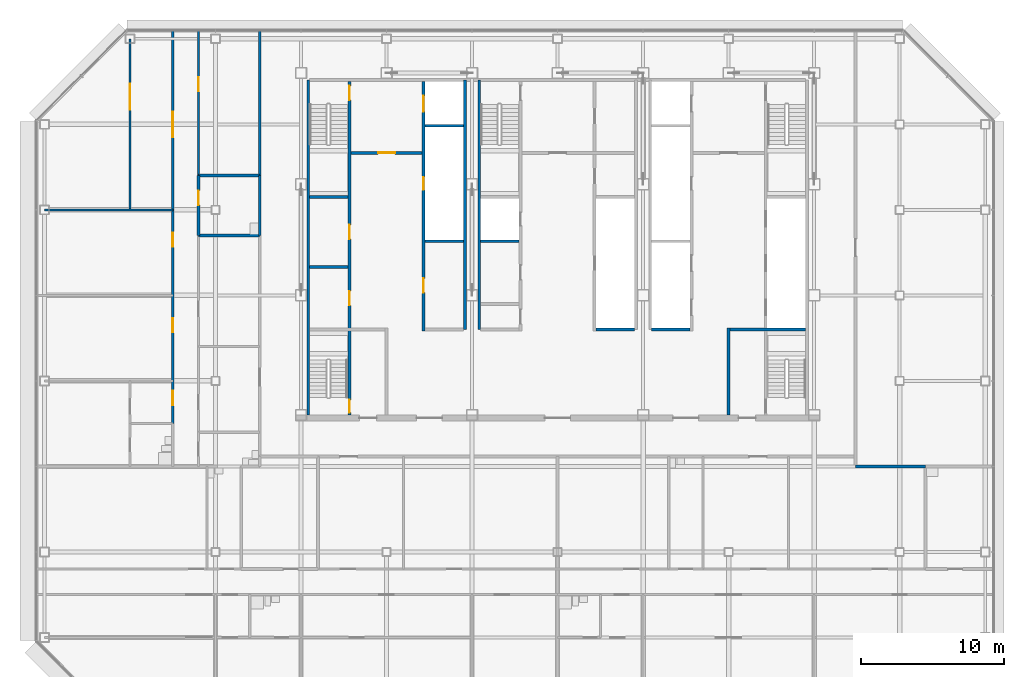
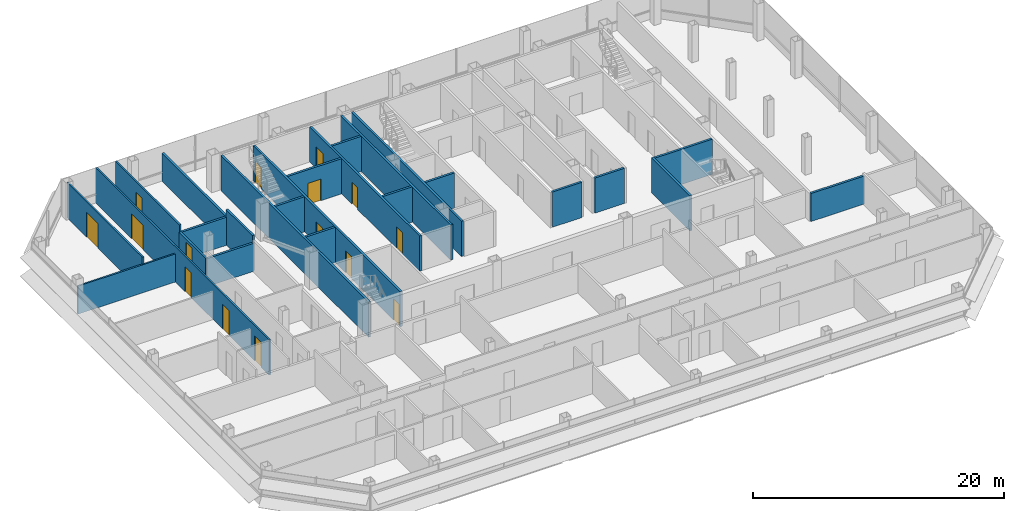
# One storey, part 22 of 26: 25 walls, 15 doors, 15 openings.
"""IFC4 building model written with IfcOpenShell, lengths in metres."""

from ifc_helpers import new_model, si_unit, direction, frame, frame_2d, origin, place, context, subcontext, project, spatial, rectangle, extrude, material, layer, layer_set, type_object, element, fill, save


model = new_model("IFC4")

# Units and contexts
model_context = context("Model", 3, precision=1e-05, world=origin(), true_north=direction((0.0, 1.0)))
body_context = subcontext(model_context, "Body", "Model", "MODEL_VIEW")
ifc_project = project(units=[si_unit("LENGTHUNIT", "METRE"), si_unit("AREAUNIT", "SQUARE_METRE"), si_unit("VOLUMEUNIT", "CUBIC_METRE"), si_unit("PLANEANGLEUNIT", "RADIAN"), si_unit("MASSUNIT", "GRAM", prefix="KILO")], contexts=[model_context])

# Site, building, storey
site_placement = place(None, origin())
site = spatial("IfcSite", under=ifc_project, at=site_placement, CompositionType="ELEMENT")
building_placement = place(site_placement, origin())
building = spatial("IfcBuilding", under=site, at=building_placement, Name="Sorahane Residences", CompositionType="ELEMENT")
storey_placement = place(building_placement, frame((0.0, 0.0, 219.0)))
storey = spatial("IfcBuildingStorey", under=building, at=storey_placement, Name="L51", CompositionType="ELEMENT", Elevation=219.0)

# Walls
ifc_material_1 = material(Name="Concrete C30", Category="concrete")
ifc_layer_1 = layer(ifc_material_1, 0.199951171875)
ifc_layer_set_1 = layer_set([ifc_layer_1], Name="Core face wall 200 EI 180")
wall_type_1 = type_object("IfcWallType", Name="Core face wall 200 EI 180", PredefinedType="SOLIDWALL", material=ifc_layer_set_1)
wall_1_placement = place(storey_placement, frame((6.5, 21.60009765625, 0.0), z_axis=(0.0, 0.0, 1.0), x_axis=(0.0, 1.0, 0.0)))
element("IfcWall", 1, at=wall_1_placement, inside=storey, type_object=wall_type_1, Name="L51 core face wall", PredefinedType="SOLIDWALL", context=body_context, shape_type="SweptSolid", body=[
    extrude(rectangle(XDim=23.5, YDim=0.199951171875, at=frame_2d((11.75, 0.0))), origin(), (0.0, 0.0, 1.0), 3.419921875),
])
for number, where, z_axis, x_axis, name in (
    (2, (17.5, 27.60009765625, 0.0), (0.0, 0.0, 1.0), (0.0, 1.0, 0.0), "L51 core face wall"),
    (3, (18.5, 27.60009765625, 0.0), (0.0, 0.0, 1.0), (0.0, 1.0, 0.0), "L51 core face wall"),
):
    element("IfcWall", number, at=place(storey_placement, frame(where, z_axis=z_axis, x_axis=x_axis)), inside=storey, type_object=wall_type_1, Name=name, PredefinedType="SOLIDWALL", context=body_context, shape_type="SweptSolid", body=[
        extrude(rectangle(XDim=17.5, YDim=0.199951171875, at=frame_2d((8.75, 0.0))), origin(), (0.0, 0.0, 1.0), 3.419921875),
    ])
ifc_material_2 = material(Name="Concrete blockwork C20 wall", Category="masonry")
ifc_layer_2 = layer(ifc_material_2, 0.199951171875)
ifc_layer_set_2 = layer_set([ifc_layer_2], Name="Corridor wall 200 EI 120")
wall_type_2 = type_object("IfcWallType", Name="Corridor wall 200 EI 120", PredefinedType="SOLIDWALL", material=ifc_layer_set_2)
wall_2_placement = place(storey_placement, frame((3.10009765625, 38.39990234375, 0.0), z_axis=(0.0, 0.0, 1.0), x_axis=(0.0, 1.0, 0.0)))
element("IfcWall", 4, at=wall_2_placement, inside=storey, type_object=wall_type_2, Name="L51 corridor wall", PredefinedType="SOLIDWALL", context=body_context, shape_type="SweptSolid", body=[
    extrude(rectangle(XDim=10.2001953125, YDim=0.199951171875, at=frame_2d((5.10009765625, 0.0))), origin(), (0.0, 0.0, 1.0), 2.719970703125),
])
wall_3_placement = place(storey_placement, frame((44.89990234375, 18.0, 0.0), z_axis=(0.0, 0.0, 1.0), x_axis=(1.0, 0.0, 0.0)))
element("IfcWall", 5, at=wall_3_placement, inside=storey, type_object=wall_type_2, Name="L51 corridor wall", PredefinedType="SOLIDWALL", context=body_context, shape_type="SweptSolid", body=[
    extrude(rectangle(XDim=4.900146484375, YDim=0.199951171875, at=frame_2d((2.4501953125, 0.0))), origin(), (0.0, 0.0, 1.0), 2.719970703125),
])
ifc_material_3 = material(Name="Concrete C30", Category="concrete")
ifc_layer_3 = layer(ifc_material_3, 0.199951171875)
ifc_layer_set_3 = layer_set([ifc_layer_3], Name="Front room wall 200 EI 120")
wall_type_3 = type_object("IfcWallType", Name="Front room wall 200 EI 120", PredefinedType="PARTITIONING", material=ifc_layer_set_3)
wall_4_placement = place(storey_placement, frame((36.0, 21.60009765625, 0.0), z_axis=(0.0, 0.0, 1.0), x_axis=(0.0, 1.0, 0.0)))
element("IfcWall", 6, at=wall_4_placement, inside=storey, type_object=wall_type_3, Name="L51 front room wall", PredefinedType="PARTITIONING", context=body_context, shape_type="SweptSolid", body=[
    extrude(rectangle(XDim=6.099853515625, YDim=0.199951171875, at=frame_2d((3.0498046875, 0.0))), origin(), (0.0, 0.0, 1.0), 3.419921875),
])

# Wall, opening, door
wall_5_placement = place(storey_placement, frame((9.5, 40.0, 0.0), z_axis=(0.0, 0.0, 1.0), x_axis=(1.0, 0.0, 0.0)))
wall_5 = element("IfcWall", 7, at=wall_5_placement, inside=storey, type_object=wall_type_3, Name="L51 front room wall", PredefinedType="PARTITIONING", context=body_context, shape_type="SweptSolid", body=[
    extrude(rectangle(XDim=5.0, YDim=0.199951171875, at=frame_2d((2.5, 0.0))), origin(), (0.0, 0.0, 1.0), 3.419921875),
])
opening_1_placement = place(wall_5_placement, frame((1.89990234375, 0.0, 0.0)))
opening_1 = element("IfcOpeningElement", 8, at=opening_1_placement, cuts=wall_5, Name="Opening L51-C06", PredefinedType="OPENING", context=body_context, shape_type="SweptSolid", body=[
    extrude(rectangle(XDim=1.199951171875, YDim=2.10009765625, at=frame_2d((0.60009765625, 1.050048828125))), frame((0.0, 0.10986328125, 0.0), z_axis=(0.0, -1.0, 0.0), x_axis=(1.0, 0.0, 0.0)), (0.0, 0.0, 1.0), 0.219970703125),
])
ifc_material_4 = material(Name="Steel", Category="steel")
door_type_1 = type_object("IfcDoorType", Name="Front room door 1200x2100 FD120", OperationType="NOTDEFINED", PredefinedType="DOOR", material=ifc_material_4)
door_1_placement = place(opening_1_placement, frame((1.199951171875, 0.0, 0.0), z_axis=(0.0, 0.0, 1.0), x_axis=(-1.0, 0.0, 0.0)))
door_1 = element("IfcDoor", 9, at=door_1_placement, inside=storey, type_object=door_type_1, Name="Front room door Firefighting lobby FF1 front room L51", OperationType="DOUBLE_DOOR_SINGLE_SWING", OverallHeight=2.10009765625, OverallWidth=1.199951171875, PredefinedType="DOOR", context=body_context, shape_type="SweptSolid", body=[
    extrude(rectangle(XDim=1.199951171875, YDim=2.10009765625, at=frame_2d((0.60009765625, 1.050048828125))), frame((0.0, 0.02490234375, 0.0), z_axis=(0.0, -1.0, 0.0), x_axis=(1.0, 0.0, 0.0)), (0.0, 0.0, 1.0), 0.050048828125),
])
fill(opening_1, door_1)

ifc_material_5 = material(Name="Concrete blockwork C20 wall", Category="masonry")
ifc_layer_4 = layer(ifc_material_5, 0.199951171875)
ifc_layer_set_4 = layer_set([ifc_layer_4], Name="Kitchen wall 200 EI 180")
wall_type_4 = type_object("IfcWallType", Name="Kitchen wall 200 EI 180", PredefinedType="SOLIDWALL", material=ifc_layer_set_4)
wall_6_placement = place(storey_placement, frame((-1.199951171875, 34.199951171875, 0.0), z_axis=(0.0, 0.0, 1.0), x_axis=(0.0, 1.0, 0.0)))
wall_6 = element("IfcWall", 10, at=wall_6_placement, inside=storey, type_object=wall_type_4, Name="L51 kitchen wall", PredefinedType="SOLIDWALL", context=body_context, shape_type="SweptSolid", body=[
    extrude(rectangle(XDim=4.199951171875, YDim=0.199951171875, at=frame_2d((2.10009765625, 0.0))), origin(), (0.0, 0.0, 1.0), 2.719970703125),
])
opening_2_placement = place(wall_6_placement, frame((2.139892578125, 0.0, 0.0)))
opening_2 = element("IfcOpeningElement", 11, at=opening_2_placement, cuts=wall_6, Name="Opening L51-29", PredefinedType="OPENING", context=body_context, shape_type="SweptSolid", body=[
    extrude(rectangle(XDim=1.0, YDim=2.39990234375, at=frame_2d((0.5, 1.199951171875))), frame((0.0, 0.10986328125, 0.0), z_axis=(0.0, -1.0, 0.0), x_axis=(1.0, 0.0, 0.0)), (0.0, 0.0, 1.0), 0.219970703125),
])
ifc_material_6 = material(Name="Steel", Category="steel")
door_type_2 = type_object("IfcDoorType", Name="Kitchen door 1000x2400 FD120", OperationType="NOTDEFINED", PredefinedType="DOOR", material=ifc_material_6)
door_2_placement = place(opening_2_placement, frame((1.0, 0.0, 0.0), z_axis=(0.0, 0.0, 1.0), x_axis=(-1.0, 0.0, 0.0)))
door_2 = element("IfcDoor", 12, at=door_2_placement, inside=storey, type_object=door_type_2, Name="Kitchen door L51-29", OperationType="SINGLE_SWING_LEFT", OverallHeight=2.39990234375, OverallWidth=1.0, PredefinedType="DOOR", context=body_context, shape_type="SweptSolid", body=[
    extrude(rectangle(XDim=1.0, YDim=2.39990234375, at=frame_2d((0.5, 1.199951171875))), frame((0.0, 0.02490234375, 0.0), z_axis=(0.0, -1.0, 0.0), x_axis=(1.0, 0.0, 0.0)), (0.0, 0.0, 1.0), 0.050048828125),
])
fill(opening_2, door_2)

# Walls
wall_7_placement = place(storey_placement, frame((3.10009765625, 34.199951171875, 0.0), z_axis=(0.0, 0.0, 1.0), x_axis=(0.0, 1.0, 0.0)))
element("IfcWall", 13, at=wall_7_placement, inside=storey, type_object=wall_type_4, Name="L51 kitchen wall", PredefinedType="SOLIDWALL", context=body_context, shape_type="SweptSolid", body=[
    extrude(rectangle(XDim=4.199951171875, YDim=0.199951171875, at=frame_2d((2.10009765625, 0.0))), origin(), (0.0, 0.0, 1.0), 3.419921875),
])
for number, where, z_axis, x_axis, name in (
    (14, (-1.199951171875, 34.199951171875, 0.0), (0.0, 0.0, 1.0), (1.0, 0.0, 0.0), "L51 kitchen wall"),
    (15, (-1.199951171875, 38.39990234375, 0.0), (0.0, 0.0, 1.0), (1.0, 0.0, 0.0), "L51 kitchen wall"),
):
    element("IfcWall", number, at=place(storey_placement, frame(where, z_axis=z_axis, x_axis=x_axis)), inside=storey, type_object=wall_type_4, Name=name, PredefinedType="SOLIDWALL", context=body_context, shape_type="SweptSolid", body=[
        extrude(rectangle(XDim=4.300048828125, YDim=0.199951171875, at=frame_2d((2.14990234375, 0.0))), origin(), (0.0, 0.0, 1.0), 2.719970703125),
    ])

# Wall, openings, doors
ifc_material_7 = material(Name="Concrete C30", Category="concrete")
ifc_layer_5 = layer(ifc_material_7, 0.199951171875)
ifc_layer_set_5 = layer_set([ifc_layer_5], Name="Lift shaft wall 200 EI 120")
wall_type_5 = type_object("IfcWallType", Name="Lift shaft wall 200 EI 120", PredefinedType="SOLIDWALL", material=ifc_layer_set_5)
wall_8_placement = place(storey_placement, frame((14.60009765625, 27.5, 0.0), z_axis=(0.0, 0.0, 1.0), x_axis=(0.0, 1.0, 0.0)))
wall_8 = element("IfcWall", 16, at=wall_8_placement, inside=storey, type_object=wall_type_5, Name="L51 lift shaft wall", PredefinedType="SOLIDWALL", context=body_context, shape_type="SweptSolid", body=[
    extrude(rectangle(XDim=17.5, YDim=0.199951171875, at=frame_2d((8.75, 0.0))), origin(), (0.0, 0.0, 1.0), 3.419921875),
])
opening_3_placement = place(wall_8_placement, frame((15.39990234375, 0.0, 0.0)))
opening_3 = element("IfcOpeningElement", 17, at=opening_3_placement, cuts=wall_8, Name="Opening L51-C15", PredefinedType="OPENING", context=body_context, shape_type="SweptSolid", body=[
    extrude(rectangle(XDim=1.10009765625, YDim=2.10009765625, at=frame_2d((0.550048828125, 1.050048828125))), frame((0.0, 0.10986328125, 0.0), z_axis=(0.0, -1.0, 0.0), x_axis=(1.0, 0.0, 0.0)), (0.0, 0.0, 1.0), 0.219970703125),
])
opening_4_placement = place(wall_8_placement, frame((2.699951171875, 0.0, 0.0)))
opening_4 = element("IfcOpeningElement", 18, at=opening_4_placement, cuts=wall_8, Name="Opening L51-C18", PredefinedType="OPENING", context=body_context, shape_type="SweptSolid", body=[
    extrude(rectangle(XDim=1.0, YDim=2.10009765625, at=frame_2d((0.5, 1.050048828125))), frame((0.0, 0.10986328125, 0.0), z_axis=(0.0, -1.0, 0.0), x_axis=(1.0, 0.0, 0.0)), (0.0, 0.0, 1.0), 0.219970703125),
])
opening_5_placement = place(wall_8_placement, frame((9.89990234375, 0.0, 0.0)))
opening_5 = element("IfcOpeningElement", 19, at=opening_5_placement, cuts=wall_8, Name="Opening L51-C26", PredefinedType="OPENING", context=body_context, shape_type="SweptSolid", body=[
    extrude(rectangle(XDim=0.89990234375, YDim=2.10009765625, at=frame_2d((0.449951171875, 1.050048828125))), frame((0.0, 0.10986328125, 0.0), z_axis=(0.0, -1.0, 0.0), x_axis=(1.0, 0.0, 0.0)), (0.0, 0.0, 1.0), 0.219970703125),
])
ifc_material_8 = material(Name="Aluminium and stainless steel", Category="steel")
door_type_3 = type_object("IfcDoorType", Name="Lift landing door 1100x2100 E 60", OperationType="NOTDEFINED", PredefinedType="DOOR", material=ifc_material_8)
door_3_placement = place(opening_3_placement, origin())
door_3 = element("IfcDoor", 20, at=door_3_placement, inside=storey, type_object=door_type_3, Name="Lift landing door FF1 L51", OperationType="DOUBLE_DOOR_SLIDING", OverallHeight=2.10009765625, OverallWidth=1.10009765625, PredefinedType="DOOR", context=body_context, shape_type="SweptSolid", body=[
    extrude(rectangle(XDim=1.10009765625, YDim=2.10009765625, at=frame_2d((0.550048828125, 1.050048828125))), frame((0.0, 0.02490234375, 0.0), z_axis=(0.0, -1.0, 0.0), x_axis=(1.0, 0.0, 0.0)), (0.0, 0.0, 1.0), 0.050048828125),
])
fill(opening_3, door_3)
ifc_material_9 = material(Name="Steel", Category="steel")
door_type_4 = type_object("IfcDoorType", Name="Riser door 900x2100 FD120", OperationType="NOTDEFINED", PredefinedType="DOOR", material=ifc_material_9)
door_4_placement = place(opening_5_placement, origin())
door_4 = element("IfcDoor", 21, at=door_4_placement, inside=storey, type_object=door_type_4, Name="Riser door R1 L51", OperationType="SINGLE_SWING_LEFT", OverallHeight=2.10009765625, OverallWidth=0.89990234375, PredefinedType="DOOR", context=body_context, shape_type="SweptSolid", body=[
    extrude(rectangle(XDim=0.89990234375, YDim=2.10009765625, at=frame_2d((0.449951171875, 1.050048828125))), frame((0.0, 0.02490234375, 0.0), z_axis=(0.0, -1.0, 0.0), x_axis=(1.0, 0.0, 0.0)), (0.0, 0.0, 1.0), 0.050048828125),
])
fill(opening_5, door_4)
ifc_material_10 = material(Name="Steel", Category="steel")
door_type_5 = type_object("IfcDoorType", Name="Service room door 1000x2100 FD60", OperationType="NOTDEFINED", PredefinedType="DOOR", material=ifc_material_10)
door_5_placement = place(opening_4_placement, frame((1.0, 0.0, 0.0), z_axis=(0.0, 0.0, 1.0), x_axis=(-1.0, 0.0, 0.0)))
door_5 = element("IfcDoor", 22, at=door_5_placement, inside=storey, type_object=door_type_5, Name="Service room door Reading room L51", OperationType="SINGLE_SWING_RIGHT", OverallHeight=2.10009765625, OverallWidth=1.0, PredefinedType="DOOR", context=body_context, shape_type="SweptSolid", body=[
    extrude(rectangle(XDim=1.0, YDim=2.10009765625, at=frame_2d((0.5, 1.050048828125))), frame((0.0, 0.02490234375, 0.0), z_axis=(0.0, -1.0, 0.0), x_axis=(1.0, 0.0, 0.0)), (0.0, 0.0, 1.0), 0.050048828125),
])
fill(opening_4, door_5)

# Walls
for number, where, z_axis, x_axis, name in (
    (23, (30.60009765625, 27.60009765625, 0.0), (0.0, 0.0, 1.0), (1.0, 0.0, 0.0), "L51 lift shaft wall"),
    (24, (14.699951171875, 41.89990234375, 0.0), (0.0, 0.0, 1.0), (1.0, 0.0, 0.0), "L51 lift shaft wall"),
):
    element("IfcWall", number, at=place(storey_placement, frame(where, z_axis=z_axis, x_axis=x_axis)), inside=storey, type_object=wall_type_5, Name=name, PredefinedType="SOLIDWALL", context=body_context, shape_type="SweptSolid", body=[
        extrude(rectangle(XDim=2.699951171875, YDim=0.199951171875, at=frame_2d((1.35009765625, 0.0))), origin(), (0.0, 0.0, 1.0), 3.419921875),
    ])

# Wall, opening, door
ifc_material_11 = material(Name="Gypsum board partition on steel studs", Category="steel")
ifc_layer_6 = layer(ifc_material_11, 0.14990234375)
ifc_layer_set_6 = layer_set([ifc_layer_6], Name="Partition 150 EI 90")
wall_type_6 = type_object("IfcWallType", Name="Partition 150 EI 90", PredefinedType="PARTITIONING", material=ifc_layer_set_6)
wall_9_placement = place(storey_placement, frame((-1.199951171875, 38.39990234375, 0.0), z_axis=(0.0, 0.0, 1.0), x_axis=(0.0, 1.0, 0.0)))
wall_9 = element("IfcWall", 25, at=wall_9_placement, inside=storey, type_object=wall_type_6, Name="L51 partition", PredefinedType="PARTITIONING", context=body_context, shape_type="SweptSolid", body=[
    extrude(rectangle(XDim=10.2001953125, YDim=0.14990234375, at=frame_2d((5.10009765625, 0.0))), origin(), (0.0, 0.0, 1.0), 3.419921875),
])
opening_6_placement = place(wall_9_placement, frame((5.919921875, 0.0, 0.0)))
opening_6 = element("IfcOpeningElement", 26, at=opening_6_placement, cuts=wall_9, Name="Opening L51-30", PredefinedType="OPENING", context=body_context, shape_type="SweptSolid", body=[
    extrude(rectangle(XDim=1.0, YDim=2.39990234375, at=frame_2d((0.5, 1.199951171875))), frame((0.0, 0.0849609375, 0.0), z_axis=(0.0, -1.0, 0.0), x_axis=(1.0, 0.0, 0.0)), (0.0, 0.0, 1.0), 0.169921875),
])
ifc_material_12 = material(Name="Timber veneered fire door", Category="wood")
door_type_6 = type_object("IfcDoorType", Name="Room door 1000x2400 FD30", OperationType="NOTDEFINED", PredefinedType="DOOR", material=ifc_material_12)
door_6_placement = place(opening_6_placement, frame((1.0, 0.0, 0.0), z_axis=(0.0, 0.0, 1.0), x_axis=(-1.0, 0.0, 0.0)))
door_6 = element("IfcDoor", 27, at=door_6_placement, inside=storey, type_object=door_type_6, Name="Room door L51-30", OperationType="SINGLE_SWING_LEFT", OverallHeight=2.39990234375, OverallWidth=1.0, PredefinedType="DOOR", context=body_context, shape_type="SweptSolid", body=[
    extrude(rectangle(XDim=1.0, YDim=2.39990234375, at=frame_2d((0.5, 1.199951171875))), frame((0.0, 0.02490234375, 0.0), z_axis=(0.0, -1.0, 0.0), x_axis=(1.0, 0.0, 0.0)), (0.0, 0.0, 1.0), 0.050048828125),
])
fill(opening_6, door_6)

# Wall, openings, doors
wall_10_placement = place(storey_placement, frame((-3.0, 21.0, 0.0), z_axis=(0.0, 0.0, 1.0), x_axis=(0.0, 1.0, 0.0)))
wall_10 = element("IfcWall", 28, at=wall_10_placement, inside=storey, type_object=wall_type_6, Name="L51 partition", PredefinedType="PARTITIONING", context=body_context, shape_type="SweptSolid", body=[
    extrude(rectangle(XDim=27.60009765625, YDim=0.14990234375, at=frame_2d((13.800048828125, 0.0))), origin(), (0.0, 0.0, 1.0), 3.419921875),
])
opening_7_placement = place(wall_10_placement, frame((1.300048828125, 0.0, 0.0)))
opening_7 = element("IfcOpeningElement", 29, at=opening_7_placement, cuts=wall_10, Name="Opening L51-31", PredefinedType="OPENING", context=body_context, shape_type="SweptSolid", body=[
    extrude(rectangle(XDim=1.0, YDim=2.39990234375, at=frame_2d((0.5, 1.199951171875))), frame((0.0, 0.0849609375, 0.0), z_axis=(0.0, -1.0, 0.0), x_axis=(1.0, 0.0, 0.0)), (0.0, 0.0, 1.0), 0.169921875),
])
opening_8_placement = place(wall_10_placement, frame((6.39990234375, 0.0, 0.0)))
opening_8 = element("IfcOpeningElement", 30, at=opening_8_placement, cuts=wall_10, Name="Opening L51-32", PredefinedType="OPENING", context=body_context, shape_type="SweptSolid", body=[
    extrude(rectangle(XDim=1.0, YDim=2.39990234375, at=frame_2d((0.5, 1.199951171875))), frame((0.0, 0.0849609375, 0.0), z_axis=(0.0, -1.0, 0.0), x_axis=(1.0, 0.0, 0.0)), (0.0, 0.0, 1.0), 0.169921875),
])
opening_9_placement = place(wall_10_placement, frame((12.39990234375, 0.0, 0.0)))
opening_9 = element("IfcOpeningElement", 31, at=opening_9_placement, cuts=wall_10, Name="Opening L51-33", PredefinedType="OPENING", context=body_context, shape_type="SweptSolid", body=[
    extrude(rectangle(XDim=1.0, YDim=2.39990234375, at=frame_2d((0.5, 1.199951171875))), frame((0.0, 0.0849609375, 0.0), z_axis=(0.0, -1.0, 0.0), x_axis=(1.0, 0.0, 0.0)), (0.0, 0.0, 1.0), 0.169921875),
])
opening_10_placement = place(wall_10_placement, frame((20.10009765625, 0.0, 0.0)))
opening_10 = element("IfcOpeningElement", 32, at=opening_10_placement, cuts=wall_10, Name="Opening L51-34", PredefinedType="OPENING", context=body_context, shape_type="SweptSolid", body=[
    extrude(rectangle(XDim=1.800048828125, YDim=2.39990234375, at=frame_2d((0.89990234375, 1.199951171875))), frame((0.0, 0.0849609375, 0.0), z_axis=(0.0, -1.0, 0.0), x_axis=(1.0, 0.0, 0.0)), (0.0, 0.0, 1.0), 0.169921875),
])
ifc_material_13 = material(Name="Timber veneered fire door", Category="wood")
door_type_7 = type_object("IfcDoorType", Name="Double door 1800x2400 FD30", OperationType="NOTDEFINED", PredefinedType="DOOR", material=ifc_material_13)
door_7_placement = place(opening_10_placement, origin())
door_7 = element("IfcDoor", 33, at=door_7_placement, inside=storey, type_object=door_type_7, Name="Double door L51-34", OperationType="SINGLE_SWING_RIGHT", OverallHeight=2.39990234375, OverallWidth=1.800048828125, PredefinedType="DOOR", context=body_context, shape_type="SweptSolid", body=[
    extrude(rectangle(XDim=1.800048828125, YDim=2.39990234375, at=frame_2d((0.89990234375, 1.199951171875))), frame((0.0, 0.02490234375, 0.0), z_axis=(0.0, -1.0, 0.0), x_axis=(1.0, 0.0, 0.0)), (0.0, 0.0, 1.0), 0.050048828125),
])
fill(opening_10, door_7)
door_8_placement = place(opening_7_placement, origin())
door_8 = element("IfcDoor", 34, at=door_8_placement, inside=storey, type_object=door_type_6, Name="Room door L51-31", OperationType="SINGLE_SWING_RIGHT", OverallHeight=2.39990234375, OverallWidth=1.0, PredefinedType="DOOR", context=body_context, shape_type="SweptSolid", body=[
    extrude(rectangle(XDim=1.0, YDim=2.39990234375, at=frame_2d((0.5, 1.199951171875))), frame((0.0, 0.02490234375, 0.0), z_axis=(0.0, -1.0, 0.0), x_axis=(1.0, 0.0, 0.0)), (0.0, 0.0, 1.0), 0.050048828125),
])
fill(opening_7, door_8)
door_9_placement = place(opening_8_placement, origin())
door_9 = element("IfcDoor", 35, at=door_9_placement, inside=storey, type_object=door_type_6, Name="Room door L51-32", OperationType="SINGLE_SWING_RIGHT", OverallHeight=2.39990234375, OverallWidth=1.0, PredefinedType="DOOR", context=body_context, shape_type="SweptSolid", body=[
    extrude(rectangle(XDim=1.0, YDim=2.39990234375, at=frame_2d((0.5, 1.199951171875))), frame((0.0, 0.02490234375, 0.0), z_axis=(0.0, -1.0, 0.0), x_axis=(1.0, 0.0, 0.0)), (0.0, 0.0, 1.0), 0.050048828125),
])
fill(opening_8, door_9)
door_10_placement = place(opening_9_placement, origin())
door_10 = element("IfcDoor", 36, at=door_10_placement, inside=storey, type_object=door_type_6, Name="Room door L51-33", OperationType="SINGLE_SWING_LEFT", OverallHeight=2.39990234375, OverallWidth=1.0, PredefinedType="DOOR", context=body_context, shape_type="SweptSolid", body=[
    extrude(rectangle(XDim=1.0, YDim=2.39990234375, at=frame_2d((0.5, 1.199951171875))), frame((0.0, 0.02490234375, 0.0), z_axis=(0.0, -1.0, 0.0), x_axis=(1.0, 0.0, 0.0)), (0.0, 0.0, 1.0), 0.050048828125),
])
fill(opening_9, door_10)

# Wall, opening, door
wall_11_placement = place(storey_placement, frame((-6.0, 36.0, 0.0), z_axis=(0.0, 0.0, 1.0), x_axis=(0.0, 1.0, 0.0)))
wall_11 = element("IfcWall", 37, at=wall_11_placement, inside=storey, type_object=wall_type_6, Name="L51 partition", PredefinedType="PARTITIONING", context=body_context, shape_type="SweptSolid", body=[
    extrude(rectangle(XDim=12.0, YDim=0.14990234375, at=frame_2d((6.0, 0.0))), origin(), (0.0, 0.0, 1.0), 3.419921875),
])
opening_11_placement = place(wall_11_placement, frame((7.0400390625, 0.0, 0.0)))
opening_11 = element("IfcOpeningElement", 38, at=opening_11_placement, cuts=wall_11, Name="Opening L51-37", PredefinedType="OPENING", context=body_context, shape_type="SweptSolid", body=[
    extrude(rectangle(XDim=1.800048828125, YDim=2.39990234375, at=frame_2d((0.89990234375, 1.199951171875))), frame((0.0, 0.0849609375, 0.0), z_axis=(0.0, -1.0, 0.0), x_axis=(1.0, 0.0, 0.0)), (0.0, 0.0, 1.0), 0.169921875),
])
door_11_placement = place(opening_11_placement, origin())
door_11 = element("IfcDoor", 39, at=door_11_placement, inside=storey, type_object=door_type_7, Name="Double door L51-37", OperationType="SINGLE_SWING_RIGHT", OverallHeight=2.39990234375, OverallWidth=1.800048828125, PredefinedType="DOOR", context=body_context, shape_type="SweptSolid", body=[
    extrude(rectangle(XDim=1.800048828125, YDim=2.39990234375, at=frame_2d((0.89990234375, 1.199951171875))), frame((0.0, 0.02490234375, 0.0), z_axis=(0.0, -1.0, 0.0), x_axis=(1.0, 0.0, 0.0)), (0.0, 0.0, 1.0), 0.050048828125),
])
fill(opening_11, door_11)

# Walls
wall_12_placement = place(storey_placement, frame((-12.0, 36.0, 0.0), z_axis=(0.0, 0.0, 1.0), x_axis=(1.0, 0.0, 0.0)))
element("IfcWall", 40, at=wall_12_placement, inside=storey, type_object=wall_type_6, Name="L51 partition", PredefinedType="PARTITIONING", context=body_context, shape_type="SweptSolid", body=[
    extrude(rectangle(XDim=9.0, YDim=0.14990234375, at=frame_2d((4.5, 0.0))), origin(), (0.0, 0.0, 1.0), 2.719970703125),
])
ifc_material_14 = material(Name="Concrete C30", Category="concrete")
ifc_layer_7 = layer(ifc_material_14, 0.199951171875)
ifc_layer_set_7 = layer_set([ifc_layer_7], Name="Riser shaft wall 200 EI 120")
wall_type_7 = type_object("IfcWallType", Name="Riser shaft wall 200 EI 120", PredefinedType="SOLIDWALL", material=ifc_layer_set_7)
for number, where, z_axis, x_axis, name in (
    (41, (26.699951171875, 27.60009765625, 0.0), (0.0, 0.0, 1.0), (1.0, 0.0, 0.0), "L51 riser wall"),
    (42, (14.699951171875, 33.800048828125, 0.0), (0.0, 0.0, 1.0), (1.0, 0.0, 0.0), "L51 riser wall"),
    (43, (18.60009765625, 33.800048828125, 0.0), (0.0, 0.0, 1.0), (1.0, 0.0, 0.0), "L51 riser wall"),
):
    element("IfcWall", number, at=place(storey_placement, frame(where, z_axis=z_axis, x_axis=x_axis)), inside=storey, type_object=wall_type_7, Name=name, PredefinedType="SOLIDWALL", context=body_context, shape_type="SweptSolid", body=[
        extrude(rectangle(XDim=2.699951171875, YDim=0.199951171875, at=frame_2d((1.35009765625, 0.0))), origin(), (0.0, 0.0, 1.0), 3.419921875),
    ])
ifc_material_15 = material(Name="Concrete C30", Category="concrete")
ifc_layer_8 = layer(ifc_material_15, 0.199951171875)
ifc_layer_set_8 = layer_set([ifc_layer_8], Name="Service room partition 200 EI 60")
wall_type_8 = type_object("IfcWallType", Name="Service room partition 200 EI 60", PredefinedType="PARTITIONING", material=ifc_layer_set_8)
wall_13_placement = place(storey_placement, frame((6.60009765625, 32.0, 0.0), z_axis=(0.0, 0.0, 1.0), x_axis=(1.0, 0.0, 0.0)))
element("IfcWall", 44, at=wall_13_placement, inside=storey, type_object=wall_type_8, Name="L51 service room wall", PredefinedType="PARTITIONING", context=body_context, shape_type="SweptSolid", body=[
    extrude(rectangle(XDim=2.699951171875, YDim=0.199951171875, at=frame_2d((1.35009765625, 0.0))), origin(), (0.0, 0.0, 1.0), 3.419921875),
])

# Wall, openings, doors
ifc_material_16 = material(Name="Concrete C30", Category="concrete")
ifc_layer_9 = layer(ifc_material_16, 0.199951171875)
ifc_layer_set_9 = layer_set([ifc_layer_9], Name="Stair enclosure wall 200 EI 120")
wall_type_9 = type_object("IfcWallType", Name="Stair enclosure wall 200 EI 120", PredefinedType="SOLIDWALL", material=ifc_layer_set_9)
wall_14_placement = place(storey_placement, frame((9.39990234375, 21.60009765625, 0.0), z_axis=(0.0, 0.0, 1.0), x_axis=(0.0, 1.0, 0.0)))
wall_14 = element("IfcWall", 45, at=wall_14_placement, inside=storey, type_object=wall_type_9, Name="L51 stair enclosure wall", PredefinedType="SOLIDWALL", context=body_context, shape_type="SweptSolid", body=[
    extrude(rectangle(XDim=23.39990234375, YDim=0.199951171875, at=frame_2d((11.699951171875, 0.0))), origin(), (0.0, 0.0, 1.0), 3.419921875),
])
opening_12_placement = place(wall_14_placement, frame((7.699951171875, 0.0, 0.0)))
opening_12 = element("IfcOpeningElement", 46, at=opening_12_placement, cuts=wall_14, Name="Opening L51-C19", PredefinedType="OPENING", context=body_context, shape_type="SweptSolid", body=[
    extrude(rectangle(XDim=1.0, YDim=2.10009765625, at=frame_2d((0.5, 1.050048828125))), frame((0.0, 0.10986328125, 0.0), z_axis=(0.0, -1.0, 0.0), x_axis=(1.0, 0.0, 0.0)), (0.0, 0.0, 1.0), 0.219970703125),
])
opening_13_placement = place(wall_14_placement, frame((12.35009765625, 0.0, 0.0)))
opening_13 = element("IfcOpeningElement", 47, at=opening_13_placement, cuts=wall_14, Name="Opening L51-C20", PredefinedType="OPENING", context=body_context, shape_type="SweptSolid", body=[
    extrude(rectangle(XDim=1.0, YDim=2.10009765625, at=frame_2d((0.5, 1.050048828125))), frame((0.0, 0.10986328125, 0.0), z_axis=(0.0, -1.0, 0.0), x_axis=(1.0, 0.0, 0.0)), (0.0, 0.0, 1.0), 0.219970703125),
])
opening_14_placement = place(wall_14_placement, frame((22.10009765625, 0.0, 0.0)))
opening_14 = element("IfcOpeningElement", 48, at=opening_14_placement, cuts=wall_14, Name="Opening L51-C21", PredefinedType="OPENING", context=body_context, shape_type="SweptSolid", body=[
    extrude(rectangle(XDim=1.0, YDim=2.10009765625, at=frame_2d((0.5, 1.050048828125))), frame((0.0, 0.10986328125, 0.0), z_axis=(0.0, -1.0, 0.0), x_axis=(1.0, 0.0, 0.0)), (0.0, 0.0, 1.0), 0.219970703125),
])
opening_15_placement = place(wall_14_placement, frame((0.175048828125, 0.0, 0.0)))
opening_15 = element("IfcOpeningElement", 49, at=opening_15_placement, cuts=wall_14, Name="Opening L51-C24", PredefinedType="OPENING", context=body_context, shape_type="SweptSolid", body=[
    extrude(rectangle(XDim=0.89990234375, YDim=2.10009765625, at=frame_2d((0.449951171875, 1.050048828125))), frame((0.0, 0.10986328125, 0.0), z_axis=(0.0, -1.0, 0.0), x_axis=(1.0, 0.0, 0.0)), (0.0, 0.0, 1.0), 0.219970703125),
])
door_12_placement = place(opening_12_placement, origin())
door_12 = element("IfcDoor", 50, at=door_12_placement, inside=storey, type_object=door_type_5, Name="Service room door Study L51", OperationType="SINGLE_SWING_LEFT", OverallHeight=2.10009765625, OverallWidth=1.0, PredefinedType="DOOR", context=body_context, shape_type="SweptSolid", body=[
    extrude(rectangle(XDim=1.0, YDim=2.10009765625, at=frame_2d((0.5, 1.050048828125))), frame((0.0, 0.02490234375, 0.0), z_axis=(0.0, -1.0, 0.0), x_axis=(1.0, 0.0, 0.0)), (0.0, 0.0, 1.0), 0.050048828125),
])
fill(opening_12, door_12)
door_13_placement = place(opening_13_placement, origin())
door_13 = element("IfcDoor", 51, at=door_13_placement, inside=storey, type_object=door_type_5, Name="Service room door Library L51", OperationType="SINGLE_SWING_LEFT", OverallHeight=2.10009765625, OverallWidth=1.0, PredefinedType="DOOR", context=body_context, shape_type="SweptSolid", body=[
    extrude(rectangle(XDim=1.0, YDim=2.10009765625, at=frame_2d((0.5, 1.050048828125))), frame((0.0, 0.02490234375, 0.0), z_axis=(0.0, -1.0, 0.0), x_axis=(1.0, 0.0, 0.0)), (0.0, 0.0, 1.0), 0.050048828125),
])
fill(opening_13, door_13)
ifc_material_17 = material(Name="Steel", Category="steel")
door_type_8 = type_object("IfcDoorType", Name="Stair door 1000x2100 FD120", OperationType="NOTDEFINED", PredefinedType="DOOR", material=ifc_material_17)
door_14_placement = place(opening_14_placement, origin())
door_14 = element("IfcDoor", 52, at=door_14_placement, inside=storey, type_object=door_type_8, Name="Stair door S1 L51", OperationType="SINGLE_SWING_LEFT", OverallHeight=2.10009765625, OverallWidth=1.0, PredefinedType="DOOR", context=body_context, shape_type="SweptSolid", body=[
    extrude(rectangle(XDim=1.0, YDim=2.10009765625, at=frame_2d((0.5, 1.050048828125))), frame((0.0, 0.02490234375, 0.0), z_axis=(0.0, -1.0, 0.0), x_axis=(1.0, 0.0, 0.0)), (0.0, 0.0, 1.0), 0.050048828125),
])
fill(opening_14, door_14)
ifc_material_18 = material(Name="Steel", Category="steel")
door_type_9 = type_object("IfcDoorType", Name="Stair door 900x2100 FD120", OperationType="NOTDEFINED", PredefinedType="DOOR", material=ifc_material_18)
door_15_placement = place(opening_15_placement, origin())
door_15 = element("IfcDoor", 53, at=door_15_placement, inside=storey, type_object=door_type_9, Name="Stair door S4 L51", OperationType="SINGLE_SWING_LEFT", OverallHeight=2.10009765625, OverallWidth=0.89990234375, PredefinedType="DOOR", context=body_context, shape_type="SweptSolid", body=[
    extrude(rectangle(XDim=0.89990234375, YDim=2.10009765625, at=frame_2d((0.449951171875, 1.050048828125))), frame((0.0, 0.02490234375, 0.0), z_axis=(0.0, -1.0, 0.0), x_axis=(1.0, 0.0, 0.0)), (0.0, 0.0, 1.0), 0.050048828125),
])
fill(opening_15, door_15)

# Walls
wall_15_placement = place(storey_placement, frame((36.10009765625, 27.60009765625, 0.0), z_axis=(0.0, 0.0, 1.0), x_axis=(1.0, 0.0, 0.0)))
element("IfcWall", 54, at=wall_15_placement, inside=storey, type_object=wall_type_9, Name="L51 stair enclosure wall", PredefinedType="SOLIDWALL", context=body_context, shape_type="SweptSolid", body=[
    extrude(rectangle(XDim=5.2998046875, YDim=0.199951171875, at=frame_2d((2.64990234375, 0.0))), origin(), (0.0, 0.0, 1.0), 3.419921875),
])
wall_16_placement = place(storey_placement, frame((6.60009765625, 36.89990234375, 0.0), z_axis=(0.0, 0.0, 1.0), x_axis=(1.0, 0.0, 0.0)))
element("IfcWall", 55, at=wall_16_placement, inside=storey, type_object=wall_type_9, Name="L51 stair enclosure wall", PredefinedType="SOLIDWALL", context=body_context, shape_type="SweptSolid", body=[
    extrude(rectangle(XDim=2.699951171875, YDim=0.199951171875, at=frame_2d((1.35009765625, 0.0))), origin(), (0.0, 0.0, 1.0), 3.419921875),
])

save(model, "model.ifc")
